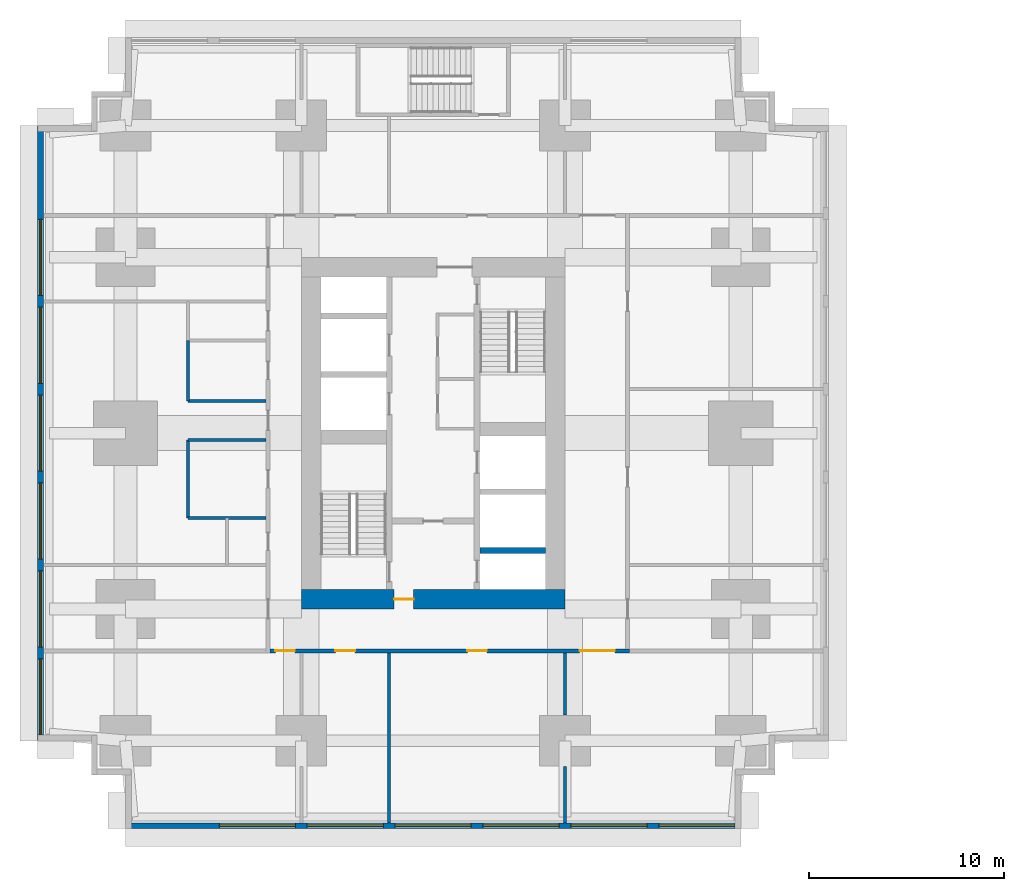
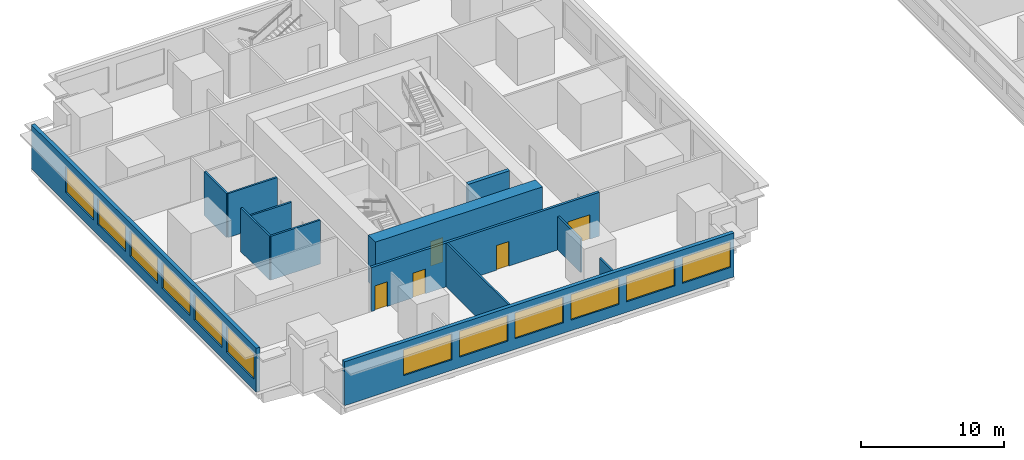
# One storey, part 3 of 11: 13 walls, 12 windows, 5 doors, 17 openings.
"""IFC4 building model written with IfcOpenShell, lengths in metres."""

from ifc_helpers import new_model, si_unit, direction, frame, frame_2d, origin, place, context, subcontext, project, spatial, rectangle, extrude, material, layer, layer_set, type_object, element, fill, save


model = new_model("IFC4")

# Units and contexts
model_context = context("Model", 3, precision=1e-05, world=origin(), true_north=direction((0.0, 1.0)))
body_context = subcontext(model_context, "Body", "Model", "MODEL_VIEW")
ifc_project = project(units=[si_unit("LENGTHUNIT", "METRE"), si_unit("AREAUNIT", "SQUARE_METRE"), si_unit("VOLUMEUNIT", "CUBIC_METRE"), si_unit("PLANEANGLEUNIT", "RADIAN"), si_unit("MASSUNIT", "GRAM", prefix="KILO")], contexts=[model_context])

# Site, building, storey
site_placement = place(None, origin())
site = spatial("IfcSite", under=ifc_project, at=site_placement, CompositionType="ELEMENT")
building_placement = place(site_placement, origin())
building = spatial("IfcBuilding", under=site, at=building_placement, Name="Namib Vertical Campus", CompositionType="ELEMENT")
storey_placement = place(building_placement, frame((0.0, 0.0, 41.0)))
storey = spatial("IfcBuildingStorey", under=building, at=storey_placement, Name="L09", CompositionType="ELEMENT", Elevation=41.0)

# Wall
ifc_material_1 = material(Name="Concrete C60/75", Category="concrete")
ifc_layer_1 = layer(ifc_material_1, 0.300048828125)
ifc_layer_set_1 = layer_set([ifc_layer_1], Name="Concrete C60/75")
wall_type_1 = type_object("IfcWallType", Name="Core inner wall 300", PredefinedType="SHEAR", material=ifc_layer_set_1)
wall_1_placement = place(storey_placement, frame((22.64990234375, 14.25, 0.0), z_axis=(0.0, 0.0, 1.0), x_axis=(1.0, 0.0, 0.0)))
element("IfcWall", 1, at=wall_1_placement, inside=storey, type_object=wall_type_1, Name="Core inner wall A L09 W5", PredefinedType="SHEAR", context=body_context, shape_type="SweptSolid", body=[
    extrude(rectangle(XDim=3.35009765625, YDim=0.300048828125, at=frame_2d((1.675048828125, 0.0))), origin(), (0.0, 0.0, 1.0), 4.0),
])

# Wall, opening, door
ifc_material_2 = material(Name="Concrete C60/75", Category="concrete")
ifc_layer_2 = layer(ifc_material_2, 1.0)
ifc_layer_set_2 = layer_set([ifc_layer_2], Name="Concrete C60/75")
wall_type_2 = type_object("IfcWallType", Name="Core wall 1000", PredefinedType="SHEAR", material=ifc_layer_set_2)
wall_2_placement = place(storey_placement, frame((13.5, 11.75, 0.0), z_axis=(0.0, 0.0, 1.0), x_axis=(1.0, 0.0, 0.0)))
wall_2 = element("IfcWall", 2, at=wall_2_placement, inside=storey, type_object=wall_type_2, Name="Core wall A L09 1", PredefinedType="SHEAR", context=body_context, shape_type="SweptSolid", body=[
    extrude(rectangle(XDim=13.5, YDim=1.0, at=frame_2d((6.75, 0.0))), origin(), (0.0, 0.0, 1.0), 4.0),
])
opening_1_placement = place(wall_2_placement, frame((4.75, 0.0, 0.0)))
opening_1 = element("IfcOpeningElement", 3, at=opening_1_placement, cuts=wall_2, Name="Opening FD5", PredefinedType="OPENING", context=body_context, shape_type="SweptSolid", body=[
    extrude(rectangle(XDim=1.0, YDim=2.10009765625, at=frame_2d((0.5, 1.050048828125))), frame((0.0, 0.510009765625, 0.0), z_axis=(0.0, -1.0, 0.0), x_axis=(1.0, 0.0, 0.0)), (0.0, 0.0, 1.0), 1.02001953125),
])
ifc_material_3 = material(Name="Steel fire door", Category="steel")
door_type_1 = type_object("IfcDoorType", Name="Fire door 1000x2100 120 min", OperationType="SINGLE_SWING_RIGHT", PredefinedType="DOOR", material=ifc_material_3)
door_1_placement = place(opening_1_placement, origin())
door_1 = element("IfcDoor", 4, at=door_1_placement, inside=storey, type_object=door_type_1, Name="Firefighting lobby door FD5 A L09", OperationType="SINGLE_SWING_LEFT", OverallHeight=2.10009765625, OverallWidth=1.0, PredefinedType="DOOR", context=body_context, shape_type="SweptSolid", body=[
    extrude(rectangle(XDim=1.0, YDim=2.10009765625, at=frame_2d((0.5, 1.050048828125))), frame((0.0, 0.02490234375, 0.0), z_axis=(0.0, -1.0, 0.0), x_axis=(1.0, 0.0, 0.0)), (0.0, 0.0, 1.0), 0.050048828125),
])
fill(opening_1, door_1)

# Wall, openings, doors
ifc_material_4 = material(Name="Concrete masonry", Category="masonry")
ifc_layer_3 = layer(ifc_material_4, 0.199951171875)
ifc_layer_set_3 = layer_set([ifc_layer_3], Name="Corridor wall 200")
wall_type_3 = type_object("IfcWallType", Name="Corridor wall 200", PredefinedType="SOLIDWALL", material=ifc_layer_set_3)
wall_3_placement = place(storey_placement, frame((11.89990234375, 9.10009765625, 0.0), z_axis=(0.0, 0.0, 1.0), x_axis=(1.0, 0.0, 0.0)))
wall_3 = element("IfcWall", 5, at=wall_3_placement, inside=storey, type_object=wall_type_3, Name="Corridor wall A L09 CS", PredefinedType="SOLIDWALL", context=body_context, shape_type="SweptSolid", body=[
    extrude(rectangle(XDim=18.400146484375, YDim=0.199951171875, at=frame_2d((9.2001953125, 0.0))), origin(), (0.0, 0.0, 1.0), 3.75),
])
opening_2_placement = place(wall_3_placement, frame((0.27490234375, 0.0, 0.0)))
opening_2 = element("IfcOpeningElement", 6, at=opening_2_placement, cuts=wall_3, Name="Opening CD1", PredefinedType="OPENING", context=body_context, shape_type="SweptSolid", body=[
    extrude(rectangle(XDim=1.0, YDim=2.10009765625, at=frame_2d((0.5, 1.050048828125))), frame((0.0, 0.10986328125, 0.0), z_axis=(0.0, -1.0, 0.0), x_axis=(1.0, 0.0, 0.0)), (0.0, 0.0, 1.0), 0.219970703125),
])
opening_3_placement = place(wall_3_placement, frame((3.35009765625, 0.0, 0.0)))
opening_3 = element("IfcOpeningElement", 7, at=opening_3_placement, cuts=wall_3, Name="Opening CD1", PredefinedType="OPENING", context=body_context, shape_type="SweptSolid", body=[
    extrude(rectangle(XDim=1.0, YDim=2.10009765625, at=frame_2d((0.5, 1.050048828125))), frame((0.0, 0.10986328125, 0.0), z_axis=(0.0, -1.0, 0.0), x_axis=(1.0, 0.0, 0.0)), (0.0, 0.0, 1.0), 0.219970703125),
])
opening_4_placement = place(wall_3_placement, frame((10.10009765625, 0.0, 0.0)))
opening_4 = element("IfcOpeningElement", 8, at=opening_4_placement, cuts=wall_3, Name="Opening CD1", PredefinedType="OPENING", context=body_context, shape_type="SweptSolid", body=[
    extrude(rectangle(XDim=1.0, YDim=2.10009765625, at=frame_2d((0.5, 1.050048828125))), frame((0.0, 0.10986328125, 0.0), z_axis=(0.0, -1.0, 0.0), x_axis=(1.0, 0.0, 0.0)), (0.0, 0.0, 1.0), 0.219970703125),
])
opening_5_placement = place(wall_3_placement, frame((15.85009765625, 0.0, 0.0)))
opening_5 = element("IfcOpeningElement", 9, at=opening_5_placement, cuts=wall_3, Name="Opening CD2", PredefinedType="OPENING", context=body_context, shape_type="SweptSolid", body=[
    extrude(rectangle(XDim=1.800048828125, YDim=2.10009765625, at=frame_2d((0.89990234375, 1.050048828125))), frame((0.0, 0.10986328125, 0.0), z_axis=(0.0, -1.0, 0.0), x_axis=(1.0, 0.0, 0.0)), (0.0, 0.0, 1.0), 0.219970703125),
])
ifc_material_5 = material(Name="Timber fire door leaf", Category="wood")
door_type_2 = type_object("IfcDoorType", Name="Corridor door 1000x2100 20 min", OperationType="SINGLE_SWING_LEFT", PredefinedType="DOOR", material=ifc_material_5)
door_2_placement = place(opening_2_placement, frame((1.0, 0.0, 0.0), z_axis=(0.0, 0.0, 1.0), x_axis=(-1.0, 0.0, 0.0)))
door_2 = element("IfcDoor", 10, at=door_2_placement, inside=storey, type_object=door_type_2, Name="Door CD1 A09-01", OperationType="SINGLE_SWING_LEFT", OverallHeight=2.10009765625, OverallWidth=1.0, PredefinedType="DOOR", context=body_context, shape_type="SweptSolid", body=[
    extrude(rectangle(XDim=1.0, YDim=2.10009765625, at=frame_2d((0.5, 1.050048828125))), frame((0.0, 0.02490234375, 0.0), z_axis=(0.0, -1.0, 0.0), x_axis=(1.0, 0.0, 0.0)), (0.0, 0.0, 1.0), 0.050048828125),
])
fill(opening_2, door_2)
door_3_placement = place(opening_3_placement, frame((1.0, 0.0, 0.0), z_axis=(0.0, 0.0, 1.0), x_axis=(-1.0, 0.0, 0.0)))
door_3 = element("IfcDoor", 11, at=door_3_placement, inside=storey, type_object=door_type_2, Name="Door CD1 A09-02", OperationType="SINGLE_SWING_RIGHT", OverallHeight=2.10009765625, OverallWidth=1.0, PredefinedType="DOOR", context=body_context, shape_type="SweptSolid", body=[
    extrude(rectangle(XDim=1.0, YDim=2.10009765625, at=frame_2d((0.5, 1.050048828125))), frame((0.0, 0.02490234375, 0.0), z_axis=(0.0, -1.0, 0.0), x_axis=(1.0, 0.0, 0.0)), (0.0, 0.0, 1.0), 0.050048828125),
])
fill(opening_3, door_3)
door_4_placement = place(opening_4_placement, frame((1.0, 0.0, 0.0), z_axis=(0.0, 0.0, 1.0), x_axis=(-1.0, 0.0, 0.0)))
door_4 = element("IfcDoor", 12, at=door_4_placement, inside=storey, type_object=door_type_2, Name="Door CD1 A09-03", OperationType="SINGLE_SWING_RIGHT", OverallHeight=2.10009765625, OverallWidth=1.0, PredefinedType="DOOR", context=body_context, shape_type="SweptSolid", body=[
    extrude(rectangle(XDim=1.0, YDim=2.10009765625, at=frame_2d((0.5, 1.050048828125))), frame((0.0, 0.02490234375, 0.0), z_axis=(0.0, -1.0, 0.0), x_axis=(1.0, 0.0, 0.0)), (0.0, 0.0, 1.0), 0.050048828125),
])
fill(opening_4, door_4)
ifc_material_6 = material(Name="Timber fire door leaf", Category="wood")
door_type_3 = type_object("IfcDoorType", Name="Corridor door double 1800x2100 20 min", OperationType="DOUBLE_DOOR_SINGLE_SWING", PredefinedType="DOOR", material=ifc_material_6)
door_5_placement = place(opening_5_placement, frame((1.800048828125, 0.0, 0.0), z_axis=(0.0, 0.0, 1.0), x_axis=(-1.0, 0.0, 0.0)))
door_5 = element("IfcDoor", 13, at=door_5_placement, inside=storey, type_object=door_type_3, Name="Door CD2 A09-04", OperationType="DOUBLE_DOOR_SINGLE_SWING", OverallHeight=2.10009765625, OverallWidth=1.800048828125, PredefinedType="DOOR", context=body_context, shape_type="SweptSolid", body=[
    extrude(rectangle(XDim=1.800048828125, YDim=2.10009765625, at=frame_2d((0.89990234375, 1.050048828125))), frame((0.0, 0.02490234375, 0.0), z_axis=(0.0, -1.0, 0.0), x_axis=(1.0, 0.0, 0.0)), (0.0, 0.0, 1.0), 0.050048828125),
])
fill(opening_5, door_5)

# Wall, openings, windows
ifc_material_7 = material(Name="Concrete C40/50", Category="concrete")
ifc_layer_4 = layer(ifc_material_7, 0.300048828125)
ifc_layer_set_4 = layer_set([ifc_layer_4], Name="Concrete C40/50")
wall_type_4 = type_object("IfcWallType", Name="External wall 300 board-marked concrete", PredefinedType="STANDARD", material=ifc_layer_set_4)
wall_4_placement = place(storey_placement, frame((4.52001953125, 0.14990234375, 0.0), z_axis=(0.0, 0.0, 1.0), x_axis=(1.0, 0.0, 0.0)))
wall_4 = element("IfcWall", 14, at=wall_4_placement, inside=storey, type_object=wall_type_4, Name="External wall L09 F01", PredefinedType="STANDARD", context=body_context, shape_type="SweptSolid", body=[
    extrude(rectangle(XDim=31.4599609375, YDim=0.300048828125, at=frame_2d((15.72998046875, 0.0))), origin(), (0.0, 0.0, 1.0), 3.75),
])
opening_6_placement = place(wall_4_placement, frame((4.780029296875, 0.0, 0.89990234375)))
opening_6 = element("IfcOpeningElement", 15, at=opening_6_placement, cuts=wall_4, Name="Opening W1", PredefinedType="OPENING", context=body_context, shape_type="SweptSolid", body=[
    extrude(rectangle(XDim=3.89990234375, YDim=2.199951171875, at=frame_2d((1.949951171875, 1.10009765625))), frame((0.0, 0.159912109375, 0.0), z_axis=(0.0, -1.0, 0.0), x_axis=(1.0, 0.0, 0.0)), (0.0, 0.0, 1.0), 0.320068359375),
])
opening_7_placement = place(wall_4_placement, frame((9.280029296875, 0.0, 0.89990234375)))
opening_7 = element("IfcOpeningElement", 16, at=opening_7_placement, cuts=wall_4, Name="Opening W1", PredefinedType="OPENING", context=body_context, shape_type="SweptSolid", body=[
    extrude(rectangle(XDim=3.89990234375, YDim=2.199951171875, at=frame_2d((1.949951171875, 1.10009765625))), frame((0.0, 0.159912109375, 0.0), z_axis=(0.0, -1.0, 0.0), x_axis=(1.0, 0.0, 0.0)), (0.0, 0.0, 1.0), 0.320068359375),
])
opening_8_placement = place(wall_4_placement, frame((13.780029296875, 0.0, 0.89990234375)))
opening_8 = element("IfcOpeningElement", 17, at=opening_8_placement, cuts=wall_4, Name="Opening W1", PredefinedType="OPENING", context=body_context, shape_type="SweptSolid", body=[
    extrude(rectangle(XDim=3.89990234375, YDim=2.199951171875, at=frame_2d((1.949951171875, 1.10009765625))), frame((0.0, 0.159912109375, 0.0), z_axis=(0.0, -1.0, 0.0), x_axis=(1.0, 0.0, 0.0)), (0.0, 0.0, 1.0), 0.320068359375),
])
opening_9_placement = place(wall_4_placement, frame((18.280029296875, 0.0, 0.89990234375)))
opening_9 = element("IfcOpeningElement", 18, at=opening_9_placement, cuts=wall_4, Name="Opening W1", PredefinedType="OPENING", context=body_context, shape_type="SweptSolid", body=[
    extrude(rectangle(XDim=3.89990234375, YDim=2.199951171875, at=frame_2d((1.949951171875, 1.10009765625))), frame((0.0, 0.159912109375, 0.0), z_axis=(0.0, -1.0, 0.0), x_axis=(1.0, 0.0, 0.0)), (0.0, 0.0, 1.0), 0.320068359375),
])
opening_10_placement = place(wall_4_placement, frame((22.780029296875, 0.0, 0.89990234375)))
opening_10 = element("IfcOpeningElement", 19, at=opening_10_placement, cuts=wall_4, Name="Opening W1", PredefinedType="OPENING", context=body_context, shape_type="SweptSolid", body=[
    extrude(rectangle(XDim=3.89990234375, YDim=2.199951171875, at=frame_2d((1.949951171875, 1.10009765625))), frame((0.0, 0.159912109375, 0.0), z_axis=(0.0, -1.0, 0.0), x_axis=(1.0, 0.0, 0.0)), (0.0, 0.0, 1.0), 0.320068359375),
])
opening_11_placement = place(wall_4_placement, frame((27.280029296875, 0.0, 0.89990234375)))
opening_11 = element("IfcOpeningElement", 20, at=opening_11_placement, cuts=wall_4, Name="Opening W1", PredefinedType="OPENING", context=body_context, shape_type="SweptSolid", body=[
    extrude(rectangle(XDim=3.89990234375, YDim=2.199951171875, at=frame_2d((1.949951171875, 1.10009765625))), frame((0.0, 0.159912109375, 0.0), z_axis=(0.0, -1.0, 0.0), x_axis=(1.0, 0.0, 0.0)), (0.0, 0.0, 1.0), 0.320068359375),
])
ifc_material_8 = material(Name="Dark tinted glass in black aluminium frame", Category="aluminium")
window_type = type_object("IfcWindowType", Name="Ribbon window 3900x2200", PartitioningType="SINGLE_PANEL", PredefinedType="WINDOW", material=ifc_material_8)
window_1_placement = place(opening_6_placement, origin())
window_1 = element("IfcWindow", 21, at=window_1_placement, inside=storey, type_object=window_type, Name="Window W1 L09 F01-2", OverallHeight=2.199951171875, OverallWidth=3.89990234375, PartitioningType="SINGLE_PANEL", PredefinedType="WINDOW", context=body_context, shape_type="SweptSolid", body=[
    extrude(rectangle(XDim=3.89990234375, YDim=2.199951171875, at=frame_2d((1.949951171875, 1.10009765625))), frame((0.0, 0.030029296875, 0.0), z_axis=(0.0, -1.0, 0.0), x_axis=(1.0, 0.0, 0.0)), (0.0, 0.0, 1.0), 0.06005859375),
])
fill(opening_6, window_1)
window_2_placement = place(opening_7_placement, origin())
window_2 = element("IfcWindow", 22, at=window_2_placement, inside=storey, type_object=window_type, Name="Window W1 L09 F01-3", OverallHeight=2.199951171875, OverallWidth=3.89990234375, PartitioningType="SINGLE_PANEL", PredefinedType="WINDOW", context=body_context, shape_type="SweptSolid", body=[
    extrude(rectangle(XDim=3.89990234375, YDim=2.199951171875, at=frame_2d((1.949951171875, 1.10009765625))), frame((0.0, 0.030029296875, 0.0), z_axis=(0.0, -1.0, 0.0), x_axis=(1.0, 0.0, 0.0)), (0.0, 0.0, 1.0), 0.06005859375),
])
fill(opening_7, window_2)
window_3_placement = place(opening_8_placement, origin())
window_3 = element("IfcWindow", 23, at=window_3_placement, inside=storey, type_object=window_type, Name="Window W1 L09 F01-4", OverallHeight=2.199951171875, OverallWidth=3.89990234375, PartitioningType="SINGLE_PANEL", PredefinedType="WINDOW", context=body_context, shape_type="SweptSolid", body=[
    extrude(rectangle(XDim=3.89990234375, YDim=2.199951171875, at=frame_2d((1.949951171875, 1.10009765625))), frame((0.0, 0.030029296875, 0.0), z_axis=(0.0, -1.0, 0.0), x_axis=(1.0, 0.0, 0.0)), (0.0, 0.0, 1.0), 0.06005859375),
])
fill(opening_8, window_3)
window_4_placement = place(opening_9_placement, origin())
window_4 = element("IfcWindow", 24, at=window_4_placement, inside=storey, type_object=window_type, Name="Window W1 L09 F01-5", OverallHeight=2.199951171875, OverallWidth=3.89990234375, PartitioningType="SINGLE_PANEL", PredefinedType="WINDOW", context=body_context, shape_type="SweptSolid", body=[
    extrude(rectangle(XDim=3.89990234375, YDim=2.199951171875, at=frame_2d((1.949951171875, 1.10009765625))), frame((0.0, 0.030029296875, 0.0), z_axis=(0.0, -1.0, 0.0), x_axis=(1.0, 0.0, 0.0)), (0.0, 0.0, 1.0), 0.06005859375),
])
fill(opening_9, window_4)
window_5_placement = place(opening_10_placement, origin())
window_5 = element("IfcWindow", 25, at=window_5_placement, inside=storey, type_object=window_type, Name="Window W1 L09 F01-6", OverallHeight=2.199951171875, OverallWidth=3.89990234375, PartitioningType="SINGLE_PANEL", PredefinedType="WINDOW", context=body_context, shape_type="SweptSolid", body=[
    extrude(rectangle(XDim=3.89990234375, YDim=2.199951171875, at=frame_2d((1.949951171875, 1.10009765625))), frame((0.0, 0.030029296875, 0.0), z_axis=(0.0, -1.0, 0.0), x_axis=(1.0, 0.0, 0.0)), (0.0, 0.0, 1.0), 0.06005859375),
])
fill(opening_10, window_5)
window_6_placement = place(opening_11_placement, origin())
window_6 = element("IfcWindow", 26, at=window_6_placement, inside=storey, type_object=window_type, Name="Window W1 L09 F01-7", OverallHeight=2.199951171875, OverallWidth=3.89990234375, PartitioningType="SINGLE_PANEL", PredefinedType="WINDOW", context=body_context, shape_type="SweptSolid", body=[
    extrude(rectangle(XDim=3.89990234375, YDim=2.199951171875, at=frame_2d((1.949951171875, 1.10009765625))), frame((0.0, 0.030029296875, 0.0), z_axis=(0.0, -1.0, 0.0), x_axis=(1.0, 0.0, 0.0)), (0.0, 0.0, 1.0), 0.06005859375),
])
fill(opening_11, window_6)

wall_5_placement = place(storey_placement, frame((0.14990234375, 35.97998046875, 0.0), z_axis=(0.0, 0.0, 1.0), x_axis=(0.0, -1.0, 0.0)))
wall_5 = element("IfcWall", 27, at=wall_5_placement, inside=storey, type_object=wall_type_4, Name="External wall L09 F16", PredefinedType="STANDARD", context=body_context, shape_type="SweptSolid", body=[
    extrude(rectangle(XDim=31.4599609375, YDim=0.300048828125, at=frame_2d((15.72998046875, 0.0))), origin(), (0.0, 0.0, 1.0), 3.75),
])
opening_12_placement = place(wall_5_placement, frame((27.280029296875, 0.0, 0.89990234375)))
opening_12 = element("IfcOpeningElement", 28, at=opening_12_placement, cuts=wall_5, Name="Opening W1", PredefinedType="OPENING", context=body_context, shape_type="SweptSolid", body=[
    extrude(rectangle(XDim=3.89990234375, YDim=2.199951171875, at=frame_2d((1.949951171875, 1.10009765625))), frame((0.0, 0.159912109375, 0.0), z_axis=(0.0, -1.0, 0.0), x_axis=(1.0, 0.0, 0.0)), (0.0, 0.0, 1.0), 0.320068359375),
])
opening_13_placement = place(wall_5_placement, frame((22.780029296875, 0.0, 0.89990234375)))
opening_13 = element("IfcOpeningElement", 29, at=opening_13_placement, cuts=wall_5, Name="Opening W1", PredefinedType="OPENING", context=body_context, shape_type="SweptSolid", body=[
    extrude(rectangle(XDim=3.89990234375, YDim=2.199951171875, at=frame_2d((1.949951171875, 1.10009765625))), frame((0.0, 0.159912109375, 0.0), z_axis=(0.0, -1.0, 0.0), x_axis=(1.0, 0.0, 0.0)), (0.0, 0.0, 1.0), 0.320068359375),
])
opening_14_placement = place(wall_5_placement, frame((18.280029296875, 0.0, 0.89990234375)))
opening_14 = element("IfcOpeningElement", 30, at=opening_14_placement, cuts=wall_5, Name="Opening W1", PredefinedType="OPENING", context=body_context, shape_type="SweptSolid", body=[
    extrude(rectangle(XDim=3.89990234375, YDim=2.199951171875, at=frame_2d((1.949951171875, 1.10009765625))), frame((0.0, 0.159912109375, 0.0), z_axis=(0.0, -1.0, 0.0), x_axis=(1.0, 0.0, 0.0)), (0.0, 0.0, 1.0), 0.320068359375),
])
opening_15_placement = place(wall_5_placement, frame((13.780029296875, 0.0, 0.89990234375)))
opening_15 = element("IfcOpeningElement", 31, at=opening_15_placement, cuts=wall_5, Name="Opening W1", PredefinedType="OPENING", context=body_context, shape_type="SweptSolid", body=[
    extrude(rectangle(XDim=3.89990234375, YDim=2.199951171875, at=frame_2d((1.949951171875, 1.10009765625))), frame((0.0, 0.159912109375, 0.0), z_axis=(0.0, -1.0, 0.0), x_axis=(1.0, 0.0, 0.0)), (0.0, 0.0, 1.0), 0.320068359375),
])
opening_16_placement = place(wall_5_placement, frame((9.280029296875, 0.0, 0.89990234375)))
opening_16 = element("IfcOpeningElement", 32, at=opening_16_placement, cuts=wall_5, Name="Opening W1", PredefinedType="OPENING", context=body_context, shape_type="SweptSolid", body=[
    extrude(rectangle(XDim=3.89990234375, YDim=2.199951171875, at=frame_2d((1.949951171875, 1.10009765625))), frame((0.0, 0.159912109375, 0.0), z_axis=(0.0, -1.0, 0.0), x_axis=(1.0, 0.0, 0.0)), (0.0, 0.0, 1.0), 0.320068359375),
])
opening_17_placement = place(wall_5_placement, frame((4.780029296875, 0.0, 0.89990234375)))
opening_17 = element("IfcOpeningElement", 33, at=opening_17_placement, cuts=wall_5, Name="Opening W1", PredefinedType="OPENING", context=body_context, shape_type="SweptSolid", body=[
    extrude(rectangle(XDim=3.89990234375, YDim=2.199951171875, at=frame_2d((1.949951171875, 1.10009765625))), frame((0.0, 0.159912109375, 0.0), z_axis=(0.0, -1.0, 0.0), x_axis=(1.0, 0.0, 0.0)), (0.0, 0.0, 1.0), 0.320068359375),
])
window_7_placement = place(opening_12_placement, origin())
window_7 = element("IfcWindow", 34, at=window_7_placement, inside=storey, type_object=window_type, Name="Window W1 L09 F16-1", OverallHeight=2.199951171875, OverallWidth=3.89990234375, PartitioningType="SINGLE_PANEL", PredefinedType="WINDOW", context=body_context, shape_type="SweptSolid", body=[
    extrude(rectangle(XDim=3.89990234375, YDim=2.199951171875, at=frame_2d((1.949951171875, 1.10009765625))), frame((0.0, 0.030029296875, 0.0), z_axis=(0.0, -1.0, 0.0), x_axis=(1.0, 0.0, 0.0)), (0.0, 0.0, 1.0), 0.06005859375),
])
fill(opening_12, window_7)
window_8_placement = place(opening_13_placement, origin())
window_8 = element("IfcWindow", 35, at=window_8_placement, inside=storey, type_object=window_type, Name="Window W1 L09 F16-2", OverallHeight=2.199951171875, OverallWidth=3.89990234375, PartitioningType="SINGLE_PANEL", PredefinedType="WINDOW", context=body_context, shape_type="SweptSolid", body=[
    extrude(rectangle(XDim=3.89990234375, YDim=2.199951171875, at=frame_2d((1.949951171875, 1.10009765625))), frame((0.0, 0.030029296875, 0.0), z_axis=(0.0, -1.0, 0.0), x_axis=(1.0, 0.0, 0.0)), (0.0, 0.0, 1.0), 0.06005859375),
])
fill(opening_13, window_8)
window_9_placement = place(opening_14_placement, origin())
window_9 = element("IfcWindow", 36, at=window_9_placement, inside=storey, type_object=window_type, Name="Window W1 L09 F16-3", OverallHeight=2.199951171875, OverallWidth=3.89990234375, PartitioningType="SINGLE_PANEL", PredefinedType="WINDOW", context=body_context, shape_type="SweptSolid", body=[
    extrude(rectangle(XDim=3.89990234375, YDim=2.199951171875, at=frame_2d((1.949951171875, 1.10009765625))), frame((0.0, 0.030029296875, 0.0), z_axis=(0.0, -1.0, 0.0), x_axis=(1.0, 0.0, 0.0)), (0.0, 0.0, 1.0), 0.06005859375),
])
fill(opening_14, window_9)
window_10_placement = place(opening_15_placement, origin())
window_10 = element("IfcWindow", 37, at=window_10_placement, inside=storey, type_object=window_type, Name="Window W1 L09 F16-4", OverallHeight=2.199951171875, OverallWidth=3.89990234375, PartitioningType="SINGLE_PANEL", PredefinedType="WINDOW", context=body_context, shape_type="SweptSolid", body=[
    extrude(rectangle(XDim=3.89990234375, YDim=2.199951171875, at=frame_2d((1.949951171875, 1.10009765625))), frame((0.0, 0.030029296875, 0.0), z_axis=(0.0, -1.0, 0.0), x_axis=(1.0, 0.0, 0.0)), (0.0, 0.0, 1.0), 0.06005859375),
])
fill(opening_15, window_10)
window_11_placement = place(opening_16_placement, origin())
window_11 = element("IfcWindow", 38, at=window_11_placement, inside=storey, type_object=window_type, Name="Window W1 L09 F16-5", OverallHeight=2.199951171875, OverallWidth=3.89990234375, PartitioningType="SINGLE_PANEL", PredefinedType="WINDOW", context=body_context, shape_type="SweptSolid", body=[
    extrude(rectangle(XDim=3.89990234375, YDim=2.199951171875, at=frame_2d((1.949951171875, 1.10009765625))), frame((0.0, 0.030029296875, 0.0), z_axis=(0.0, -1.0, 0.0), x_axis=(1.0, 0.0, 0.0)), (0.0, 0.0, 1.0), 0.06005859375),
])
fill(opening_16, window_11)
window_12_placement = place(opening_17_placement, origin())
window_12 = element("IfcWindow", 39, at=window_12_placement, inside=storey, type_object=window_type, Name="Window W1 L09 F16-6", OverallHeight=2.199951171875, OverallWidth=3.89990234375, PartitioningType="SINGLE_PANEL", PredefinedType="WINDOW", context=body_context, shape_type="SweptSolid", body=[
    extrude(rectangle(XDim=3.89990234375, YDim=2.199951171875, at=frame_2d((1.949951171875, 1.10009765625))), frame((0.0, 0.030029296875, 0.0), z_axis=(0.0, -1.0, 0.0), x_axis=(1.0, 0.0, 0.0)), (0.0, 0.0, 1.0), 0.06005859375),
])
fill(opening_17, window_12)

# Walls
ifc_material_9 = material(Name="Gypsum board on steel studs", Category="steel")
ifc_layer_5 = layer(ifc_material_9, 0.14990234375)
ifc_layer_set_5 = layer_set([ifc_layer_5], Name="Gypsum board on steel studs")
wall_type_5 = type_object("IfcWallType", Name="Partition 150", PredefinedType="PARTITIONING", material=ifc_layer_set_5)
wall_6_placement = place(storey_placement, frame((18.0, 0.300048828125, 0.0), z_axis=(0.0, 0.0, 1.0), x_axis=(0.0, 1.0, 0.0)))
element("IfcWall", 40, at=wall_6_placement, inside=storey, type_object=wall_type_5, Name="Partition A L09 PS2", PredefinedType="PARTITIONING", context=body_context, shape_type="SweptSolid", body=[
    extrude(rectangle(XDim=8.699951171875, YDim=0.14990234375, at=frame_2d((4.35009765625, 0.0))), origin(), (0.0, 0.0, 1.0), 3.75),
])
wall_7_placement = place(storey_placement, frame((27.0, 0.300048828125, 0.0), z_axis=(0.0, 0.0, 1.0), x_axis=(0.0, 1.0, 0.0)))
element("IfcWall", 41, at=wall_7_placement, inside=storey, type_object=wall_type_5, Name="Partition A L09 PS3", PredefinedType="PARTITIONING", context=body_context, shape_type="SweptSolid", body=[
    extrude(rectangle(XDim=2.8798828125, YDim=0.14990234375, at=frame_2d((1.43994140625, 0.0))), origin(), (0.0, 0.0, 1.0), 2.85009765625),
])
wall_8_placement = place(storey_placement, frame((27.0, 5.820068359375, 0.0), z_axis=(0.0, 0.0, 1.0), x_axis=(0.0, 1.0, 0.0)))
element("IfcWall", 42, at=wall_8_placement, inside=storey, type_object=wall_type_5, Name="Partition A L09 PS3", PredefinedType="PARTITIONING", context=body_context, shape_type="SweptSolid", body=[
    extrude(rectangle(XDim=3.179931640625, YDim=0.14990234375, at=frame_2d((1.58984375, 0.0))), origin(), (0.0, 0.0, 1.0), 2.85009765625),
])
wall_9_placement = place(storey_placement, frame((11.699951171875, 15.89990234375, 0.0), z_axis=(0.0, 0.0, 1.0), x_axis=(-1.0, 0.0, 0.0)))
element("IfcWall", 43, at=wall_9_placement, inside=storey, type_object=wall_type_5, Name="Partition A L09 WR1", PredefinedType="PARTITIONING", context=body_context, shape_type="SweptSolid", body=[
    extrude(rectangle(XDim=4.0, YDim=0.14990234375, at=frame_2d((2.0, 0.0))), origin(), (0.0, 0.0, 1.0), 3.75),
])
wall_10_placement = place(storey_placement, frame((11.699951171875, 19.89990234375, 0.0), z_axis=(0.0, 0.0, 1.0), x_axis=(-1.0, 0.0, 0.0)))
element("IfcWall", 44, at=wall_10_placement, inside=storey, type_object=wall_type_5, Name="Partition A L09 WR2", PredefinedType="PARTITIONING", context=body_context, shape_type="SweptSolid", body=[
    extrude(rectangle(XDim=4.0, YDim=0.14990234375, at=frame_2d((2.0, 0.0))), origin(), (0.0, 0.0, 1.0), 2.85009765625),
])
for number, where, z_axis, x_axis, name in (
    (45, (11.699951171875, 21.89990234375, 0.0), (0.0, 0.0, 1.0), (-1.0, 0.0, 0.0), "Partition A L09 WR3"),
    (46, (7.699951171875, 15.89990234375, 0.0), (0.0, 0.0, 1.0), (0.0, 1.0, 0.0), "Partition A L09 WB2"),
):
    element("IfcWall", number, at=place(storey_placement, frame(where, z_axis=z_axis, x_axis=x_axis)), inside=storey, type_object=wall_type_5, Name=name, PredefinedType="PARTITIONING", context=body_context, shape_type="SweptSolid", body=[
        extrude(rectangle(XDim=4.0, YDim=0.14990234375, at=frame_2d((2.0, 0.0))), origin(), (0.0, 0.0, 1.0), 3.75),
    ])
wall_11_placement = place(storey_placement, frame((7.699951171875, 21.89990234375, 0.0), z_axis=(0.0, 0.0, 1.0), x_axis=(0.0, 1.0, 0.0)))
element("IfcWall", 47, at=wall_11_placement, inside=storey, type_object=wall_type_5, Name="Partition A L09 WB3", PredefinedType="PARTITIONING", context=body_context, shape_type="SweptSolid", body=[
    extrude(rectangle(XDim=3.10009765625, YDim=0.14990234375, at=frame_2d((1.550048828125, 0.0))), origin(), (0.0, 0.0, 1.0), 3.75),
])

save(model, "model.ifc")
